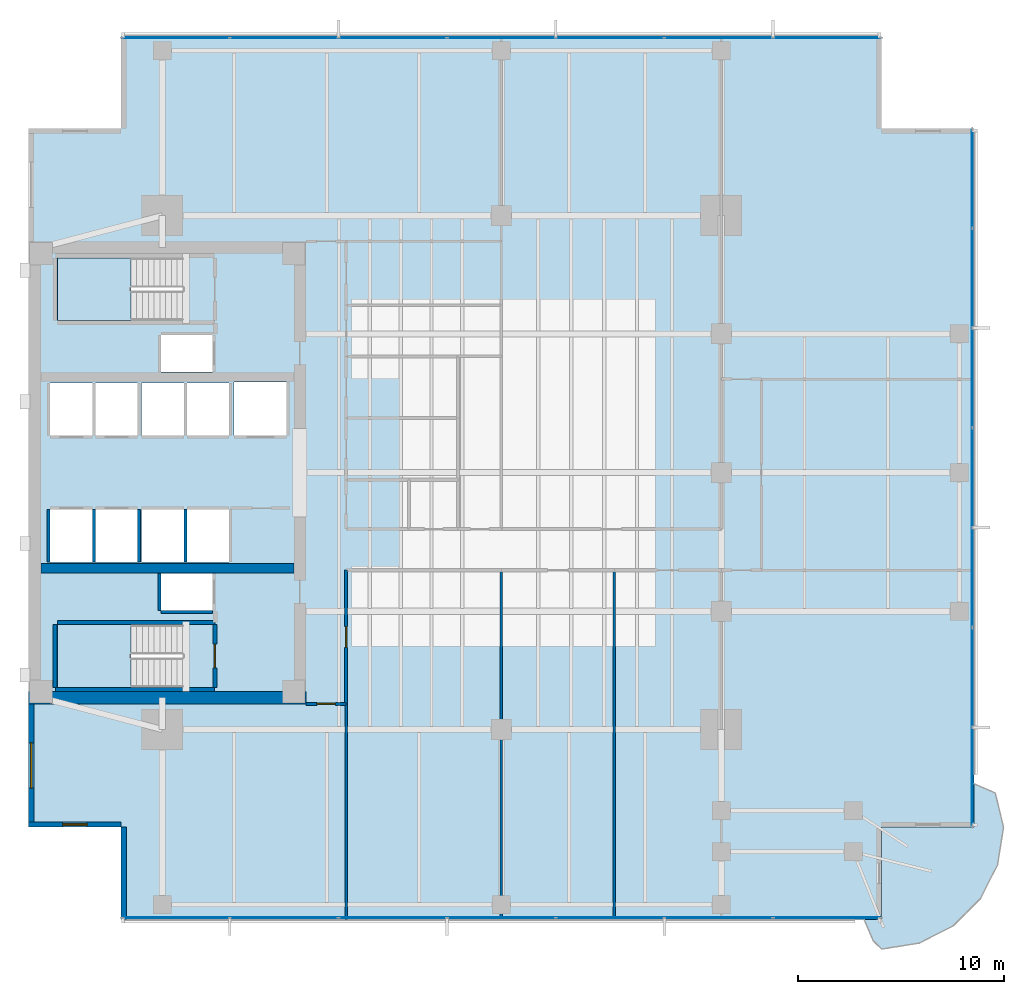
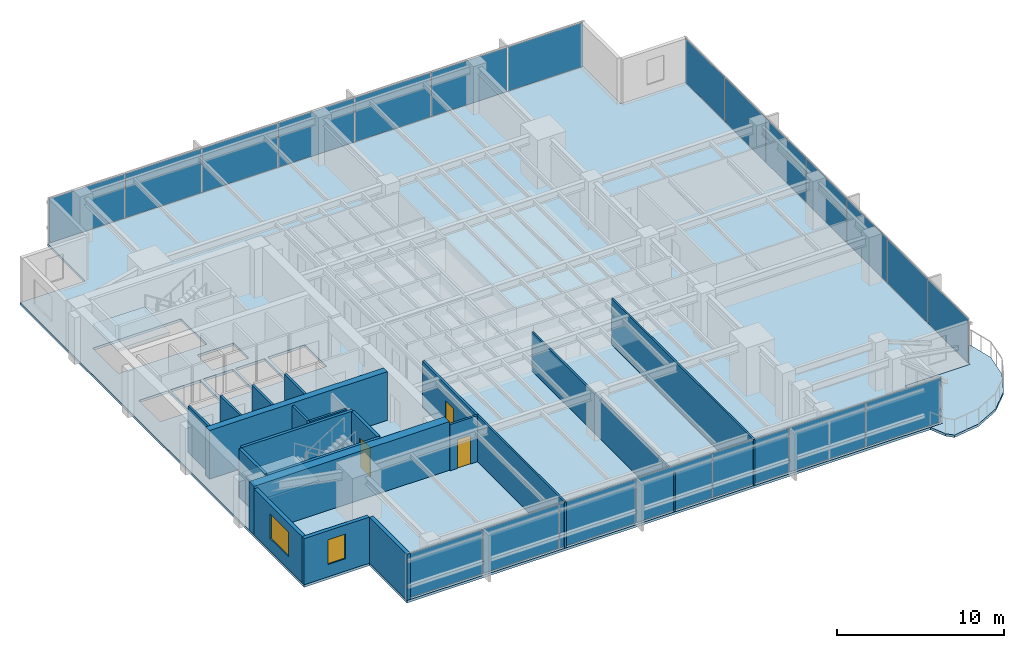
# One storey, part 7 of 15: 21 plates, 20 walls, 4 slabs, 3 doors, 2 windows, 5 openings, 5 elements without a shape of their own.
"""IFC4 building model written with IfcOpenShell, lengths in metres."""

import ifcopenshell
import ifcopenshell.guid

model = None  # the IFC model being written
_history = None  # IfcOwnerHistory: only IFC2X3 demands one
_inside = {}  # id of a spatial element -> (the spatial element, [elements in it])
_under = {}  # id of a project, library or spatial element -> (it, [spatial elements below it])
_declared = {}  # id of a project -> (the project, [libraries it declares])
_typed = {}  # id of a type object -> (the type object, [elements of that type])
_made_of = {}  # id of a material, layer set ... -> (it, [elements and type objects made of it])


def new_model(schema):
    """Start an empty IFC model of exactly this schema.

    Asked for "IFC4X3", IfcOpenShell would pick the latest addendum, in which some entities
    have other attributes; the version numbers below select the first issue.
    IFC2X3 requires an IfcOwnerHistory on every rooted entity: one is made here for all.
    """
    global model, _history
    if schema == "IFC4X3":
        model = ifcopenshell.file(schema_version=(4, 3, 0, 0))
    else:
        model = ifcopenshell.file(schema=schema)
    _inside.clear()
    _under.clear()
    _declared.clear()
    _typed.clear()
    _made_of.clear()
    _history = None
    if model.schema == "IFC2X3":
        org = make("IfcOrganization", Name="unknown")
        user = make(
            "IfcPersonAndOrganization",
            ThePerson=make("IfcPerson", FamilyName="unknown"),
            TheOrganization=org,
        )
        app = make(
            "IfcApplication",
            ApplicationDeveloper=org,
            Version="unknown",
            ApplicationFullName="unknown",
            ApplicationIdentifier="unknown",
        )
        _history = make(
            "IfcOwnerHistory",
            OwningUser=user,
            OwningApplication=app,
            ChangeAction="ADDED",
            CreationDate=0,
        )
    return model


def make(cls, **values):
    """One entity of the class cls with the attributes given. An attribute that is None is left unset."""
    return model.create_entity(
        cls, **{name: value for name, value in values.items() if value is not None}
    )


def rooted(cls, **values):
    """An entity with a GlobalId (a new one), such as an element, a storey or a relation."""
    return make(cls, GlobalId=ifcopenshell.guid.new(), OwnerHistory=_history, **values)


def si_unit(unit_type, name, prefix=None):
    """IfcSIUnit, for example si_unit("LENGTHUNIT", "METRE", prefix="MILLI")."""
    return make("IfcSIUnit", UnitType=unit_type, Prefix=prefix, Name=name)


def assignment(units):
    """IfcUnitAssignment: the units of a project."""
    return None if units is None else make("IfcUnitAssignment", Units=units)


def point(xyz):
    """IfcCartesianPoint."""
    return None if xyz is None else make("IfcCartesianPoint", Coordinates=xyz)


def direction(xyz):
    """IfcDirection."""
    return None if xyz is None else make("IfcDirection", DirectionRatios=xyz)


def frame(location, z_axis=None, x_axis=None):
    """IfcAxis2Placement3D, a coordinate frame: its origin and axes. An axis left out is left unset."""
    return make(
        "IfcAxis2Placement3D",
        Location=point(location),
        Axis=direction(z_axis),
        RefDirection=direction(x_axis),
    )


def frame_2d(location, x_axis=None):
    """IfcAxis2Placement2D, a coordinate frame in the plane: its origin and x axis."""
    return make(
        "IfcAxis2Placement2D", Location=point(location), RefDirection=direction(x_axis)
    )


def origin():
    """The frame at (0, 0, 0) with its axes left unset."""
    return frame((0.0, 0.0, 0.0))


def origin_2d():
    """The frame at (0, 0) in the plane with its x axis left unset."""
    return frame_2d((0.0, 0.0))


def place(relative_to, where):
    """IfcLocalPlacement: puts the frame where relative to a parent placement (None: the world)."""
    return make(
        "IfcLocalPlacement", PlacementRelTo=relative_to, RelativePlacement=where
    )


def context(
    kind, dimensions, precision=None, world=None, true_north=None, identifier=None
):
    """IfcGeometricRepresentationContext, for example the 3D "Model" context."""
    return make(
        "IfcGeometricRepresentationContext",
        ContextIdentifier=identifier,
        ContextType=kind,
        CoordinateSpaceDimension=dimensions,
        Precision=precision,
        WorldCoordinateSystem=world,
        TrueNorth=true_north,
    )


def subcontext(parent, identifier, kind, view, scale=None):
    """IfcGeometricRepresentationSubContext, for example "Body" below "Model"."""
    return make(
        "IfcGeometricRepresentationSubContext",
        ContextIdentifier=identifier,
        ContextType=kind,
        ParentContext=parent,
        TargetScale=scale,
        TargetView=view,
    )


def project(units=None, contexts=None):
    """IfcProject with its units and contexts."""
    return rooted(
        "IfcProject",
        Name="project",
        RepresentationContexts=contexts,
        UnitsInContext=assignment(units),
    )


def spatial(cls, under=None, at=None, **own):
    """A site, building, storey or space (cls), placed at a placement, below another one or the project."""
    s = rooted(cls, ObjectPlacement=at, **own)
    if under is not None:
        _under.setdefault(under.id(), (under, []))[1].append(s)
    return s


def polyline(points):
    """IfcPolyline through the points."""
    return make("IfcPolyline", Points=[point(p) for p in points])


def profile(cls, at=None, kind="AREA", **sizes):
    """A parametric profile (cls). Its sizes go by their IFC names, for example OverallWidth=200.0."""
    return make(cls, ProfileType=kind, Position=at, **sizes)


def rectangle(**sizes):
    """IfcRectangleProfileDef."""
    return profile("IfcRectangleProfileDef", **sizes)


def outline(outer, holes=None, kind="AREA"):
    """IfcArbitraryClosedProfileDef: a profile drawn as a closed curve; with holes, ...WithVoids."""
    if holes is None:
        return make("IfcArbitraryClosedProfileDef", ProfileType=kind, OuterCurve=outer)
    return make(
        "IfcArbitraryProfileDefWithVoids",
        ProfileType=kind,
        OuterCurve=outer,
        InnerCurves=holes,
    )


def extrude(swept, where, along, depth):
    """IfcExtrudedAreaSolid: the profile swept, set in the frame where, extruded along a direction by depth."""
    return make(
        "IfcExtrudedAreaSolid",
        SweptArea=swept,
        Position=where,
        ExtrudedDirection=direction(along),
        Depth=depth,
    )


def shape(context_of_items, identifier, shape_type, items):
    """IfcShapeRepresentation: the items that make up one representation, for example the "Body"."""
    return make(
        "IfcShapeRepresentation",
        ContextOfItems=context_of_items,
        RepresentationIdentifier=identifier,
        RepresentationType=shape_type,
        Items=items,
    )


def material(Name=None, Category=None):
    """IfcMaterial."""
    return make("IfcMaterial", Name=Name, Category=Category)


def layer(
    of_material, thickness, ventilated=None, Name=None, Category=None, Priority=None
):
    """IfcMaterialLayer: one layer of a wall or slab, of a material (None: an air gap)."""
    return make(
        "IfcMaterialLayer",
        Material=of_material,
        LayerThickness=thickness,
        IsVentilated=ventilated,
        Name=Name,
        Category=Category,
        Priority=Priority,
    )


def layer_set(layers, Name=None):
    """IfcMaterialLayerSet."""
    return make("IfcMaterialLayerSet", MaterialLayers=layers, LayerSetName=Name)


def made_of(thing, what):
    """Note that an element or type object is made of a material, layer set ...; save() writes the relation."""
    if what is not None:
        _made_of.setdefault(what.id(), (what, []))[1].append(thing)
    return thing


def type_object(cls, material=None, **own):
    """A type object (cls), such as IfcWallType, which elements share."""
    return made_of(rooted(cls, **own), material)


def element(
    cls,
    number,
    at=None,
    inside=None,
    cuts=None,
    type_object=None,
    material=None,
    context=None,
    identifier="Body",
    shape_type=None,
    held_by="IfcProductDefinitionShape",
    body=None,
    shapes=None,
    **own,
):
    """One element of the class cls, such as IfcWall. Its Tag is "e" and its number.

    at: its placement. inside: the storey or other place that contains it. cuts: it is an
    opening in that element (IfcRelVoidsElement). A single representation is given by context,
    identifier, shape_type and body (its items); several are given by shapes. held_by: the class
    of the entity that holds the representations. save() writes the other relations.
    """
    e = rooted(cls, Tag="e%d" % number, ObjectPlacement=at, **own)
    if body is not None:
        shapes = [shape(context, identifier, shape_type, body)]
    if shapes is not None:
        e.Representation = make(held_by, Representations=shapes)
    if inside is not None:
        _inside.setdefault(inside.id(), (inside, []))[1].append(e)
    if cuts is not None:
        rooted(
            "IfcRelVoidsElement", RelatingBuildingElement=cuts, RelatedOpeningElement=e
        )
    if type_object is not None:
        _typed.setdefault(type_object.id(), (type_object, []))[1].append(e)
    return made_of(e, material)


def fill(opening, filler):
    """IfcRelFillsElement: the door or window that sits in an opening."""
    return rooted(
        "IfcRelFillsElement",
        RelatingOpeningElement=opening,
        RelatedBuildingElement=filler,
    )


def aggregate(whole, parts):
    """IfcRelAggregates: a whole, such as a stair, and the parts it consists of."""
    return rooted("IfcRelAggregates", RelatingObject=whole, RelatedObjects=parts)


def save(model, path):
    """Write the relations noted so far, then the file.

    IfcRelAggregates (storeys below a building ...), IfcRelContainedInSpatialStructure (elements
    in a storey), IfcRelDefinesByType, IfcRelAssociatesMaterial and IfcRelDeclares: one each for
    every whole, place, type object, material and project.
    """
    for whole, parts in _under.values():
        aggregate(whole, parts)
    for where, things in _inside.values():
        rooted(
            "IfcRelContainedInSpatialStructure",
            RelatedElements=things,
            RelatingStructure=where,
        )
    for kind, things in _typed.values():
        rooted("IfcRelDefinesByType", RelatedObjects=things, RelatingType=kind)
    for what, things in _made_of.values():
        rooted("IfcRelAssociatesMaterial", RelatedObjects=things, RelatingMaterial=what)
    for by, libraries in _declared.values():
        rooted("IfcRelDeclares", RelatingContext=by, RelatedDefinitions=libraries)
    model.write(path)


model = new_model("IFC4")

# Units and contexts
model_context = context("Model", 3, precision=1e-05, world=origin(), true_north=direction((0.0, 1.0)))
body_context = subcontext(model_context, "Body", "Model", "MODEL_VIEW")
ifc_project = project(units=[si_unit("LENGTHUNIT", "METRE"), si_unit("AREAUNIT", "SQUARE_METRE"), si_unit("VOLUMEUNIT", "CUBIC_METRE"), si_unit("PLANEANGLEUNIT", "RADIAN"), si_unit("MASSUNIT", "GRAM", prefix="KILO")], contexts=[model_context])

# Site, building, storey
site_placement = place(None, origin())
site = spatial("IfcSite", under=ifc_project, at=site_placement, CompositionType="ELEMENT")
building_placement = place(site_placement, origin())
building = spatial("IfcBuilding", under=site, at=building_placement, Name="Kinhvarn Gate Tower", CompositionType="ELEMENT")
storey_placement = place(building_placement, frame((0.0, 0.0, 109.35009765625)))
storey = spatial("IfcBuildingStorey", under=building, at=storey_placement, Name="L28", CompositionType="ELEMENT", Elevation=109.35009765625)

# Curtain wall, plates
ifc_material_1 = material(Name="Anodised aluminium AW-6063", Category="aluminium")
ifc_layer_1 = layer(ifc_material_1, 0.179931640625)
ifc_layer_set_1 = layer_set([ifc_layer_1], Name="Anodised aluminium AW-6063")
curtain_wall_type = type_object("IfcCurtainWallType", Name="CW-SYS-3", PredefinedType="NOTDEFINED", material=ifc_layer_set_1)
curtain_wall_1_placement = place(storey_placement, origin())
curtain_wall_1 = element("IfcCurtainWall", 1, at=curtain_wall_1_placement, inside=storey, type_object=curtain_wall_type, Name="Curtain Wall CW3 (L28)", PredefinedType="NOTDEFINED")
ifc_material_2 = material(Name="Clear low-e double glazing", Category="glass")
ifc_layer_2 = layer(ifc_material_2, 0.031982421875)
ifc_layer_set_2 = layer_set([ifc_layer_2], Name="Clear low-e double glazing")
plate_type = type_object("IfcPlateType", Name="CW-PNL-VIS", PredefinedType="CURTAIN_PANEL", material=ifc_layer_set_2)
plate_1_placement = place(storey_placement, frame((11.6591796875, 3.590087890625, 0.06982421875), z_axis=(0.0, 0.0, 1.0), x_axis=(1.0, 0.0, 0.0)))
plate_1 = element("IfcPlate", 2, at=plate_1_placement, type_object=plate_type, Name="CW3 panel 1.1", PredefinedType="CURTAIN_PANEL", context=body_context, shape_type="SweptSolid", body=[
    extrude(rectangle(XDim=5.188232421875, YDim=0.031982421875, at=origin_2d()), origin(), (0.0, 0.0, 1.0), 3.22998046875),
])
plate_2_placement = place(storey_placement, frame((16.928466796875, 3.590087890625, 0.06982421875), z_axis=(0.0, 0.0, 1.0), x_axis=(1.0, 0.0, 0.0)))
plate_2 = element("IfcPlate", 3, at=plate_2_placement, type_object=plate_type, Name="CW3 panel 2.1", PredefinedType="CURTAIN_PANEL", context=body_context, shape_type="SweptSolid", body=[
    extrude(rectangle(XDim=5.220703125, YDim=0.031982421875, at=origin_2d()), origin(), (0.0, 0.0, 1.0), 3.22998046875),
])
plate_3_placement = place(storey_placement, frame((22.21435546875, 3.590087890625, 0.06982421875), z_axis=(0.0, 0.0, 1.0), x_axis=(1.0, 0.0, 0.0)))
plate_3 = element("IfcPlate", 4, at=plate_3_placement, type_object=plate_type, Name="CW3 panel 3.1", PredefinedType="CURTAIN_PANEL", context=body_context, shape_type="SweptSolid", body=[
    extrude(rectangle(XDim=5.220703125, YDim=0.031982421875, at=origin_2d()), origin(), (0.0, 0.0, 1.0), 3.22998046875),
])
plate_4_placement = place(storey_placement, frame((27.5, 3.590087890625, 0.06982421875), z_axis=(0.0, 0.0, 1.0), x_axis=(1.0, 0.0, 0.0)))
plate_4 = element("IfcPlate", 5, at=plate_4_placement, type_object=plate_type, Name="CW3 panel 4.1", PredefinedType="CURTAIN_PANEL", context=body_context, shape_type="SweptSolid", body=[
    extrude(rectangle(XDim=5.220703125, YDim=0.031982421875, at=origin_2d()), origin(), (0.0, 0.0, 1.0), 3.22998046875),
])
plate_5_placement = place(storey_placement, frame((32.78564453125, 3.590087890625, 0.06982421875), z_axis=(0.0, 0.0, 1.0), x_axis=(1.0, 0.0, 0.0)))
plate_5 = element("IfcPlate", 6, at=plate_5_placement, type_object=plate_type, Name="CW3 panel 5.1", PredefinedType="CURTAIN_PANEL", context=body_context, shape_type="SweptSolid", body=[
    extrude(rectangle(XDim=5.220703125, YDim=0.031982421875, at=origin_2d()), origin(), (0.0, 0.0, 1.0), 3.22998046875),
])
plate_6_placement = place(storey_placement, frame((38.071533203125, 3.590087890625, 0.06982421875), z_axis=(0.0, 0.0, 1.0), x_axis=(1.0, 0.0, 0.0)))
plate_6 = element("IfcPlate", 7, at=plate_6_placement, type_object=plate_type, Name="CW3 panel 6.1", PredefinedType="CURTAIN_PANEL", context=body_context, shape_type="SweptSolid", body=[
    extrude(rectangle(XDim=5.220703125, YDim=0.031982421875, at=origin_2d()), origin(), (0.0, 0.0, 1.0), 3.22998046875),
])
plate_7_placement = place(storey_placement, frame((43.3408203125, 3.590087890625, 0.06982421875), z_axis=(0.0, 0.0, 1.0), x_axis=(1.0, 0.0, 0.0)))
plate_7 = element("IfcPlate", 8, at=plate_7_placement, type_object=plate_type, Name="CW3 panel 7.1", PredefinedType="CURTAIN_PANEL", context=body_context, shape_type="SweptSolid", body=[
    extrude(rectangle(XDim=5.188232421875, YDim=0.031982421875, at=origin_2d()), origin(), (0.0, 0.0, 1.0), 3.22998046875),
])
aggregate(curtain_wall_1, [plate_1, plate_2, plate_3, plate_4, plate_5, plate_6, plate_7])

curtain_wall_2_placement = place(storey_placement, origin())
curtain_wall_2 = element("IfcCurtainWall", 9, at=curtain_wall_2_placement, inside=storey, type_object=curtain_wall_type, Name="Curtain Wall CW3 (L28)", PredefinedType="NOTDEFINED")
plate_8_placement = place(storey_placement, frame((43.3408203125, 46.409912109375, 0.06982421875), z_axis=(0.0, 0.0, 1.0), x_axis=(-1.0, 0.0, 0.0)))
plate_8 = element("IfcPlate", 10, at=plate_8_placement, type_object=plate_type, Name="CW3 panel 1.1", PredefinedType="CURTAIN_PANEL", context=body_context, shape_type="SweptSolid", body=[
    extrude(rectangle(XDim=5.188232421875, YDim=0.031982421875, at=origin_2d()), origin(), (0.0, 0.0, 1.0), 3.22998046875),
])
plate_9_placement = place(storey_placement, frame((38.071533203125, 46.409912109375, 0.06982421875), z_axis=(0.0, 0.0, 1.0), x_axis=(-1.0, 0.0, 0.0)))
plate_9 = element("IfcPlate", 11, at=plate_9_placement, type_object=plate_type, Name="CW3 panel 2.1", PredefinedType="CURTAIN_PANEL", context=body_context, shape_type="SweptSolid", body=[
    extrude(rectangle(XDim=5.220703125, YDim=0.031982421875, at=origin_2d()), origin(), (0.0, 0.0, 1.0), 3.22998046875),
])
plate_10_placement = place(storey_placement, frame((32.78564453125, 46.409912109375, 0.06982421875), z_axis=(0.0, 0.0, 1.0), x_axis=(-1.0, 0.0, 0.0)))
plate_10 = element("IfcPlate", 12, at=plate_10_placement, type_object=plate_type, Name="CW3 panel 3.1", PredefinedType="CURTAIN_PANEL", context=body_context, shape_type="SweptSolid", body=[
    extrude(rectangle(XDim=5.220703125, YDim=0.031982421875, at=origin_2d()), origin(), (0.0, 0.0, 1.0), 3.22998046875),
])
plate_11_placement = place(storey_placement, frame((27.5, 46.409912109375, 0.06982421875), z_axis=(0.0, 0.0, 1.0), x_axis=(-1.0, 0.0, 0.0)))
plate_11 = element("IfcPlate", 13, at=plate_11_placement, type_object=plate_type, Name="CW3 panel 4.1", PredefinedType="CURTAIN_PANEL", context=body_context, shape_type="SweptSolid", body=[
    extrude(rectangle(XDim=5.220703125, YDim=0.031982421875, at=origin_2d()), origin(), (0.0, 0.0, 1.0), 3.22998046875),
])
plate_12_placement = place(storey_placement, frame((22.21435546875, 46.409912109375, 0.06982421875), z_axis=(0.0, 0.0, 1.0), x_axis=(-1.0, 0.0, 0.0)))
plate_12 = element("IfcPlate", 14, at=plate_12_placement, type_object=plate_type, Name="CW3 panel 5.1", PredefinedType="CURTAIN_PANEL", context=body_context, shape_type="SweptSolid", body=[
    extrude(rectangle(XDim=5.220703125, YDim=0.031982421875, at=origin_2d()), origin(), (0.0, 0.0, 1.0), 3.22998046875),
])
plate_13_placement = place(storey_placement, frame((16.928466796875, 46.409912109375, 0.06982421875), z_axis=(0.0, 0.0, 1.0), x_axis=(-1.0, 0.0, 0.0)))
plate_13 = element("IfcPlate", 15, at=plate_13_placement, type_object=plate_type, Name="CW3 panel 6.1", PredefinedType="CURTAIN_PANEL", context=body_context, shape_type="SweptSolid", body=[
    extrude(rectangle(XDim=5.220703125, YDim=0.031982421875, at=origin_2d()), origin(), (0.0, 0.0, 1.0), 3.22998046875),
])
plate_14_placement = place(storey_placement, frame((11.6591796875, 46.409912109375, 0.06982421875), z_axis=(0.0, 0.0, 1.0), x_axis=(-1.0, 0.0, 0.0)))
plate_14 = element("IfcPlate", 16, at=plate_14_placement, type_object=plate_type, Name="CW3 panel 7.1", PredefinedType="CURTAIN_PANEL", context=body_context, shape_type="SweptSolid", body=[
    extrude(rectangle(XDim=5.188232421875, YDim=0.031982421875, at=origin_2d()), origin(), (0.0, 0.0, 1.0), 3.22998046875),
])
aggregate(curtain_wall_2, [plate_8, plate_9, plate_10, plate_11, plate_12, plate_13, plate_14])

curtain_wall_3_placement = place(storey_placement, origin())
curtain_wall_3 = element("IfcCurtainWall", 17, at=curtain_wall_3_placement, inside=storey, type_object=curtain_wall_type, Name="Curtain Wall CW3 (L28)", PredefinedType="NOTDEFINED")
plate_15_placement = place(storey_placement, frame((50.409912109375, 10.44482421875, 0.06982421875), z_axis=(0.0, 0.0, 1.0), x_axis=(0.0, 1.0, 0.0)))
plate_15 = element("IfcPlate", 18, at=plate_15_placement, type_object=plate_type, Name="CW3 panel 1.1", PredefinedType="CURTAIN_PANEL", context=body_context, shape_type="SweptSolid", body=[
    extrude(rectangle(XDim=4.759521484375, YDim=0.031982421875, at=origin_2d()), origin(), (0.0, 0.0, 1.0), 3.22998046875),
])
plate_16_placement = place(storey_placement, frame((50.409912109375, 15.28564453125, 0.06982421875), z_axis=(0.0, 0.0, 1.0), x_axis=(0.0, 1.0, 0.0)))
plate_16 = element("IfcPlate", 19, at=plate_16_placement, type_object=plate_type, Name="CW3 panel 2.1", PredefinedType="CURTAIN_PANEL", context=body_context, shape_type="SweptSolid", body=[
    extrude(rectangle(XDim=4.792236328125, YDim=0.031982421875, at=origin_2d()), origin(), (0.0, 0.0, 1.0), 3.22998046875),
])
plate_17_placement = place(storey_placement, frame((50.409912109375, 20.142822265625, 0.06982421875), z_axis=(0.0, 0.0, 1.0), x_axis=(0.0, 1.0, 0.0)))
plate_17 = element("IfcPlate", 20, at=plate_17_placement, type_object=plate_type, Name="CW3 panel 3.1", PredefinedType="CURTAIN_PANEL", context=body_context, shape_type="SweptSolid", body=[
    extrude(rectangle(XDim=4.792236328125, YDim=0.031982421875, at=origin_2d()), origin(), (0.0, 0.0, 1.0), 3.22998046875),
])
plate_18_placement = place(storey_placement, frame((50.409912109375, 25.0, 0.06982421875), z_axis=(0.0, 0.0, 1.0), x_axis=(0.0, 1.0, 0.0)))
plate_18 = element("IfcPlate", 21, at=plate_18_placement, type_object=plate_type, Name="CW3 panel 4.1", PredefinedType="CURTAIN_PANEL", context=body_context, shape_type="SweptSolid", body=[
    extrude(rectangle(XDim=4.792236328125, YDim=0.031982421875, at=origin_2d()), origin(), (0.0, 0.0, 1.0), 3.22998046875),
])
plate_19_placement = place(storey_placement, frame((50.409912109375, 29.857177734375, 0.06982421875), z_axis=(0.0, 0.0, 1.0), x_axis=(0.0, 1.0, 0.0)))
plate_19 = element("IfcPlate", 22, at=plate_19_placement, type_object=plate_type, Name="CW3 panel 5.1", PredefinedType="CURTAIN_PANEL", context=body_context, shape_type="SweptSolid", body=[
    extrude(rectangle(XDim=4.792236328125, YDim=0.031982421875, at=origin_2d()), origin(), (0.0, 0.0, 1.0), 3.22998046875),
])
plate_20_placement = place(storey_placement, frame((50.409912109375, 34.71435546875, 0.06982421875), z_axis=(0.0, 0.0, 1.0), x_axis=(0.0, 1.0, 0.0)))
plate_20 = element("IfcPlate", 23, at=plate_20_placement, type_object=plate_type, Name="CW3 panel 6.1", PredefinedType="CURTAIN_PANEL", context=body_context, shape_type="SweptSolid", body=[
    extrude(rectangle(XDim=4.792236328125, YDim=0.031982421875, at=origin_2d()), origin(), (0.0, 0.0, 1.0), 3.22998046875),
])
plate_21_placement = place(storey_placement, frame((50.409912109375, 39.55517578125, 0.06982421875), z_axis=(0.0, 0.0, 1.0), x_axis=(0.0, 1.0, 0.0)))
plate_21 = element("IfcPlate", 24, at=plate_21_placement, type_object=plate_type, Name="CW3 panel 7.1", PredefinedType="CURTAIN_PANEL", context=body_context, shape_type="SweptSolid", body=[
    extrude(rectangle(XDim=4.759521484375, YDim=0.031982421875, at=origin_2d()), origin(), (0.0, 0.0, 1.0), 3.22998046875),
])
aggregate(curtain_wall_3, [plate_15, plate_16, plate_17, plate_18, plate_19, plate_20, plate_21])

# Slabs
ifc_material_3 = material(Name="Precast white architectural concrete C40/50", Category="concrete")
ifc_layer_3 = layer(ifc_material_3, 0.179931640625)
ifc_layer_set_3 = layer_set([ifc_layer_3], Name="Precast white architectural concrete C40/50")
slab_type_1 = type_object("IfcSlabType", Name="SLB-BAL-180", PredefinedType="FLOOR", material=ifc_layer_set_3)
slab_1_placement = place(storey_placement, frame((0.0, 0.0, -0.18017578125)))
element("IfcSlab", 25, at=slab_1_placement, inside=storey, type_object=slab_type_1, Name="S-Carve Curved Terrace Balcony Slab L28 (SE)", PredefinedType="FLOOR", context=body_context, shape_type="SweptSolid", body=[
    extrude(outline(polyline([(45.14892578125, 3.5), (45.59912109375, 2.4697265625), (46.0, 2.069091796875), (47.832763671875, 2.359375), (49.486083984375, 3.20166015625), (50.79833984375, 4.513916015625), (51.640625, 6.167236328125), (51.930908203125, 8.0), (51.5302734375, 9.658935546875), (50.5, 10.10888671875), (50.5, 8.0), (46.0, 8.0), (46.0, 3.5), (45.14892578125, 3.5)])), origin(), (0.0, 0.0, 1.0), 0.18017578125),
])
ifc_material_4 = material(Name="Concrete C40/50", Category="concrete")
ifc_layer_4 = layer(ifc_material_4, 0.179931640625)
ifc_layer_set_4 = layer_set([ifc_layer_4], Name="Concrete C40/50")
slab_type_2 = type_object("IfcSlabType", Name="SLB-FLR-180", PredefinedType="FLOOR", material=ifc_layer_set_4)
slab_2_placement = place(storey_placement, frame((0.0, 0.0, -0.18017578125)))
element("IfcSlab", 26, at=slab_2_placement, inside=storey, type_object=slab_type_2, Name="Suspended Floor Slab L28", PredefinedType="FLOOR", context=body_context, shape_type="SweptSolid", body=[
    extrude(outline(polyline([(9.0, 3.5), (46.0, 3.5), (46.0, 8.0), (50.5, 8.0), (50.5, 42.0), (46.0, 42.0), (46.0, 46.5), (9.0, 46.5), (9.0, 42.0), (4.5, 42.0), (4.5, 8.0), (9.0, 8.0), (9.0, 3.5)]), holes=[polyline([(5.89990234375, 14.800048828125), (12.0, 14.800048828125), (12.0, 17.85009765625), (5.89990234375, 17.85009765625), (5.89990234375, 14.800048828125)]), polyline([(5.89990234375, 32.64990234375), (12.0, 32.64990234375), (12.0, 35.699951171875), (5.89990234375, 35.699951171875), (5.89990234375, 32.64990234375)]), polyline([(5.550048828125, 20.89990234375), (7.60009765625, 20.89990234375), (7.60009765625, 23.449951171875), (5.550048828125, 23.449951171875), (5.550048828125, 20.89990234375)]), polyline([(7.75, 20.89990234375), (9.800048828125, 20.89990234375), (9.800048828125, 23.449951171875), (7.75, 23.449951171875), (7.75, 20.89990234375)]), polyline([(5.550048828125, 27.050048828125), (7.60009765625, 27.050048828125), (7.60009765625, 29.60009765625), (5.550048828125, 29.60009765625), (5.550048828125, 27.050048828125)]), polyline([(7.75, 27.050048828125), (9.800048828125, 27.050048828125), (9.800048828125, 29.60009765625), (7.75, 29.60009765625), (7.75, 27.050048828125)]), polyline([(10.0, 20.89990234375), (12.050048828125, 20.89990234375), (12.050048828125, 23.449951171875), (10.0, 23.449951171875), (10.0, 20.89990234375)]), polyline([(12.199951171875, 20.89990234375), (14.25, 20.89990234375), (14.25, 23.449951171875), (12.199951171875, 23.449951171875), (12.199951171875, 20.89990234375)]), polyline([(10.0, 27.050048828125), (12.050048828125, 27.050048828125), (12.050048828125, 29.60009765625), (10.0, 29.60009765625), (10.0, 27.050048828125)]), polyline([(12.199951171875, 27.050048828125), (14.25, 27.050048828125), (14.25, 29.60009765625), (12.199951171875, 29.60009765625), (12.199951171875, 27.050048828125)]), polyline([(14.5, 27.050048828125), (17.050048828125, 27.050048828125), (17.050048828125, 29.64990234375), (14.5, 29.64990234375), (14.5, 27.050048828125)]), polyline([(10.949951171875, 18.550048828125), (13.449951171875, 18.550048828125), (13.449951171875, 20.35009765625), (10.949951171875, 20.35009765625), (10.949951171875, 18.550048828125)]), polyline([(10.949951171875, 30.14990234375), (13.449951171875, 30.14990234375), (13.449951171875, 31.949951171875), (10.949951171875, 31.949951171875), (10.949951171875, 30.14990234375)])]), origin(), (0.0, 0.0, 1.0), 0.18017578125),
])

# Stair, slab
stair_type = type_object("IfcStairType", Name="STR-DLG-178", PredefinedType="HALF_TURN_STAIR", material=ifc_material_4)
stair_1_placement = place(storey_placement, origin())
stair_1 = element("IfcStair", 27, at=stair_1_placement, inside=storey, type_object=stair_type, Name="L28 Core Smokeproof Exit Stair ST1", PredefinedType="HALF_TURN_STAIR")
ifc_layer_5 = layer(ifc_material_4, 0.199951171875)
ifc_layer_set_5 = layer_set([ifc_layer_5], Name="Concrete C40/50")
slab_type_3 = type_object("IfcSlabType", Name="SLB-ST-LND", PredefinedType="LANDING", material=ifc_layer_set_5)
slab_3_placement = place(storey_placement, frame((0.0, 0.0, 1.574951171875)))
slab_3 = element("IfcSlab", 28, at=slab_3_placement, type_object=slab_type_3, Name="ST1 landing 1", PredefinedType="LANDING", context=body_context, shape_type="SweptSolid", body=[
    extrude(outline(polyline([(9.47998046875, 17.85009765625), (5.89990234375, 17.85009765625), (5.89990234375, 14.800048828125), (9.47998046875, 14.800048828125), (9.47998046875, 17.85009765625)])), origin(), (0.0, 0.0, 1.0), 0.199951171875),
])
aggregate(stair_1, [slab_3])

stair_2_placement = place(storey_placement, origin())
stair_2 = element("IfcStair", 29, at=stair_2_placement, inside=storey, type_object=stair_type, Name="L28 Core Smokeproof Exit Stair ST2", PredefinedType="HALF_TURN_STAIR")
slab_4_placement = place(storey_placement, frame((0.0, 0.0, 1.574951171875)))
slab_4 = element("IfcSlab", 30, at=slab_4_placement, type_object=slab_type_3, Name="ST2 landing 1", PredefinedType="LANDING", context=body_context, shape_type="SweptSolid", body=[
    extrude(outline(polyline([(9.47998046875, 35.699951171875), (5.89990234375, 35.699951171875), (5.89990234375, 32.64990234375), (9.47998046875, 32.64990234375), (9.47998046875, 35.699951171875)])), origin(), (0.0, 0.0, 1.0), 0.199951171875),
])
aggregate(stair_2, [slab_4])

# Walls
ifc_material_5 = material(Name="Concrete C50/60", Category="concrete")
ifc_layer_6 = layer(ifc_material_5, 0.449951171875)
ifc_layer_set_6 = layer_set([ifc_layer_6], Name="Concrete C50/60")
wall_type_1 = type_object("IfcWallType", Name="WL-CORE-450", PredefinedType="SHEAR", material=ifc_layer_set_6)
wall_1_placement = place(storey_placement, frame((5.10009765625, 20.60009765625, 0.0), z_axis=(0.0, 0.0, 1.0), x_axis=(1.0, 0.0, 0.0)))
element("IfcWall", 31, at=wall_1_placement, inside=storey, type_object=wall_type_1, Name="Core South Spine Shear Wall L28 450 mm", PredefinedType="SHEAR", context=body_context, shape_type="SweptSolid", body=[
    extrude(rectangle(XDim=12.2998046875, YDim=0.449951171875, at=frame_2d((6.14990234375, 0.0))), origin(), (0.0, 0.0, 1.0), 3.5498046875),
])
ifc_material_6 = material(Name="Concrete C60/75", Category="concrete")
ifc_layer_7 = layer(ifc_material_6, 0.60009765625)
ifc_layer_set_7 = layer_set([ifc_layer_7], Name="Concrete C60/75")
wall_type_2 = type_object("IfcWallType", Name="WL-CORE-600", PredefinedType="SHEAR", material=ifc_layer_set_7)
wall_2_placement = place(storey_placement, frame((4.5, 14.300048828125, 0.0), z_axis=(0.0, 0.0, 1.0), x_axis=(1.0, 0.0, 0.0)))
element("IfcWall", 32, at=wall_2_placement, inside=storey, type_object=wall_type_2, Name="Core South Shear Wall L28 600 mm", PredefinedType="SHEAR", context=body_context, shape_type="SweptSolid", body=[
    extrude(rectangle(XDim=13.5, YDim=0.60009765625, at=frame_2d((6.75, 0.0))), origin(), (0.0, 0.0, 1.0), 3.5498046875),
])

# Wall, opening, window
ifc_material_7 = material(Name="Fired architectural terracotta", Category="masonry")
ifc_layer_8 = layer(ifc_material_7, 0.25)
ifc_layer_set_8 = layer_set([ifc_layer_8], Name="Fired architectural terracotta")
wall_type_3 = type_object("IfcWallType", Name="WL-EXT-250", PredefinedType="SOLIDWALL", material=ifc_layer_set_8)
wall_3_placement = place(storey_placement, frame((4.625, 14.0, 0.0), z_axis=(0.0, 0.0, 1.0), x_axis=(0.0, -1.0, 0.0)))
wall_3 = element("IfcWall", 33, at=wall_3_placement, inside=storey, type_object=wall_type_3, Name="Exterior Solidwall Wall EW-250 (L28 West-South)", PredefinedType="SOLIDWALL", context=body_context, shape_type="SweptSolid", body=[
    extrude(rectangle(XDim=6.0, YDim=0.25, at=frame_2d((3.0, 0.0))), origin(), (0.0, 0.0, 1.0), 3.369873046875),
])
opening_1_placement = place(wall_3_placement, frame((1.89990234375, 0.0, 0.89990234375)))
opening_1 = element("IfcOpeningElement", 34, at=opening_1_placement, cuts=wall_3, Name="Opening WN-01", PredefinedType="OPENING", context=body_context, shape_type="SweptSolid", body=[
    extrude(rectangle(XDim=2.199951171875, YDim=1.800048828125, at=frame_2d((1.10009765625, 0.89990234375))), frame((0.0, 0.135009765625, 0.0), z_axis=(0.0, -1.0, 0.0), x_axis=(1.0, 0.0, 0.0)), (0.0, 0.0, 1.0), 0.27001953125),
])
window_type_1 = type_object("IfcWindowType", Name="WIN-RIB-2200", PartitioningType="SINGLE_PANEL", PredefinedType="WINDOW", material=ifc_material_2)
window_1_placement = place(opening_1_placement, origin())
window_1 = element("IfcWindow", 35, at=window_1_placement, inside=storey, type_object=window_type_1, Name="West Flank Double-Glazed Ribbon Window 2200x1800 mm (L28)", OverallHeight=1.800048828125, OverallWidth=2.199951171875, PartitioningType="SINGLE_PANEL", PredefinedType="WINDOW", context=body_context, shape_type="SweptSolid", body=[
    extrude(rectangle(XDim=2.199951171875, YDim=1.800048828125, at=frame_2d((1.10009765625, 0.89990234375))), frame((0.0, 0.030029296875, 0.0), z_axis=(0.0, -1.0, 0.0), x_axis=(1.0, 0.0, 0.0)), (0.0, 0.0, 1.0), 0.06005859375),
])
fill(opening_1, window_1)

wall_4_placement = place(storey_placement, frame((4.5, 8.125, 0.0), z_axis=(0.0, 0.0, 1.0), x_axis=(1.0, 0.0, 0.0)))
wall_4 = element("IfcWall", 36, at=wall_4_placement, inside=storey, type_object=wall_type_3, Name="Exterior Solidwall Wall EW-250 (L28 SW-Notch-1)", PredefinedType="SOLIDWALL", context=body_context, shape_type="SweptSolid", body=[
    extrude(rectangle(XDim=4.5, YDim=0.25, at=frame_2d((2.25, 0.0))), origin(), (0.0, 0.0, 1.0), 3.369873046875),
])
opening_2_placement = place(wall_4_placement, frame((1.64990234375, 0.0, 0.89990234375)))
opening_2 = element("IfcOpeningElement", 37, at=opening_2_placement, cuts=wall_4, Name="Opening WN-02", PredefinedType="OPENING", context=body_context, shape_type="SweptSolid", body=[
    extrude(rectangle(XDim=1.199951171875, YDim=1.800048828125, at=frame_2d((0.60009765625, 0.89990234375))), frame((0.0, 0.135009765625, 0.0), z_axis=(0.0, -1.0, 0.0), x_axis=(1.0, 0.0, 0.0)), (0.0, 0.0, 1.0), 0.27001953125),
])
window_type_2 = type_object("IfcWindowType", Name="WIN-NTC-1200", PartitioningType="SINGLE_PANEL", PredefinedType="WINDOW", material=ifc_material_2)
window_2_placement = place(opening_2_placement, origin())
window_2 = element("IfcWindow", 38, at=window_2_placement, inside=storey, type_object=window_type_2, Name="Recessed Corner Notch Punched Window 1200x1800 mm (L28)", OverallHeight=1.800048828125, OverallWidth=1.199951171875, PartitioningType="SINGLE_PANEL", PredefinedType="WINDOW", context=body_context, shape_type="SweptSolid", body=[
    extrude(rectangle(XDim=1.199951171875, YDim=1.800048828125, at=frame_2d((0.60009765625, 0.89990234375))), frame((0.0, 0.030029296875, 0.0), z_axis=(0.0, -1.0, 0.0), x_axis=(1.0, 0.0, 0.0)), (0.0, 0.0, 1.0), 0.06005859375),
])
fill(opening_2, window_2)

# Walls
wall_5_placement = place(storey_placement, frame((9.125, 8.0, 0.0), z_axis=(0.0, 0.0, 1.0), x_axis=(0.0, -1.0, 0.0)))
element("IfcWall", 39, at=wall_5_placement, inside=storey, type_object=wall_type_3, Name="Exterior Solidwall Wall EW-250 (L28 SW-Notch-2)", PredefinedType="SOLIDWALL", context=body_context, shape_type="SweptSolid", body=[
    extrude(rectangle(XDim=4.5, YDim=0.25, at=frame_2d((2.25, 0.0))), origin(), (0.0, 0.0, 1.0), 3.369873046875),
])
ifc_material_8 = material(Name="Gypsum acoustic partition board")
ifc_layer_9 = layer(ifc_material_8, 0.1201171875)
ifc_layer_set_9 = layer_set([ifc_layer_9], Name="Gypsum acoustic partition board")
wall_type_4 = type_object("IfcWallType", Name="WL-PRT-120", PredefinedType="PARTITIONING", material=ifc_layer_set_9)
wall_6_placement = place(storey_placement, frame((19.949951171875, 3.510009765625, 0.0), z_axis=(0.0, 0.0, 1.0), x_axis=(0.0, 1.0, 0.0)))
element("IfcWall", 40, at=wall_6_placement, inside=storey, type_object=wall_type_4, Name="Interior Partition PW-120 (L28)", PredefinedType="PARTITIONING", context=body_context, shape_type="SweptSolid", body=[
    extrude(rectangle(XDim=10.489990234375, YDim=0.1201171875, at=frame_2d((5.2451171875, 0.0))), origin(), (0.0, 0.0, 1.0), 3.369873046875),
])
wall_7_placement = place(storey_placement, frame((27.5, 3.510009765625, 0.0), z_axis=(0.0, 0.0, 1.0), x_axis=(0.0, 1.0, 0.0)))
element("IfcWall", 41, at=wall_7_placement, inside=storey, type_object=wall_type_4, Name="Interior Partition PW-120 (L28)", PredefinedType="PARTITIONING", context=body_context, shape_type="SweptSolid", body=[
    extrude(rectangle(XDim=16.989990234375, YDim=0.1201171875, at=frame_2d((8.4951171875, 0.0))), origin(), (0.0, 0.0, 1.0), 2.869873046875),
])
wall_8_placement = place(storey_placement, frame((33.0, 3.510009765625, 0.0), z_axis=(0.0, 0.0, 1.0), x_axis=(0.0, 1.0, 0.0)))
element("IfcWall", 42, at=wall_8_placement, inside=storey, type_object=wall_type_4, Name="Interior Partition PW-120 (L28)", PredefinedType="PARTITIONING", context=body_context, shape_type="SweptSolid", body=[
    extrude(rectangle(XDim=16.989990234375, YDim=0.1201171875, at=frame_2d((8.4951171875, 0.0))), origin(), (0.0, 0.0, 1.0), 3.369873046875),
])

# Wall, opening, door
ifc_layer_10 = layer(ifc_material_8, 0.14990234375)
ifc_layer_set_10 = layer_set([ifc_layer_10], Name="Gypsum acoustic partition board")
wall_type_5 = type_object("IfcWallType", Name="WL-PRT-150F", PredefinedType="PARTITIONING", material=ifc_layer_set_10)
wall_9_placement = place(storey_placement, frame((18.0, 14.0, 0.0), z_axis=(0.0, 0.0, 1.0), x_axis=(1.0, 0.0, 0.0)))
wall_9 = element("IfcWall", 43, at=wall_9_placement, inside=storey, type_object=wall_type_5, Name="Interior Partition PW-150F (L28)", PredefinedType="PARTITIONING", context=body_context, shape_type="SweptSolid", body=[
    extrude(rectangle(XDim=1.949951171875, YDim=0.14990234375, at=frame_2d((0.97509765625, 0.0))), origin(), (0.0, 0.0, 1.0), 3.369873046875),
])
opening_3_placement = place(wall_9_placement, frame((0.52490234375, 0.0, 0.0)))
opening_3 = element("IfcOpeningElement", 44, at=opening_3_placement, cuts=wall_9, Name="Opening ID-03", PredefinedType="OPENING", context=body_context, shape_type="SweptSolid", body=[
    extrude(rectangle(XDim=0.89990234375, YDim=2.10009765625, at=frame_2d((0.449951171875, 1.050048828125))), frame((0.0, 0.0849609375, 0.0), z_axis=(0.0, -1.0, 0.0), x_axis=(1.0, 0.0, 0.0)), (0.0, 0.0, 1.0), 0.169921875),
])
door_type_1 = type_object("IfcDoorType", Name="DR-INT-900", OperationType="NOTDEFINED", PredefinedType="DOOR", material=ifc_material_1)
door_1_placement = place(opening_3_placement, origin())
door_1 = element("IfcDoor", 45, at=door_1_placement, inside=storey, type_object=door_type_1, Name="Cellular Office & Restroom Door 900x2100 mm (L28)", OperationType="SINGLE_SWING_LEFT", OverallHeight=2.10009765625, OverallWidth=0.89990234375, PredefinedType="DOOR", context=body_context, shape_type="SweptSolid", body=[
    extrude(rectangle(XDim=0.89990234375, YDim=2.10009765625, at=frame_2d((0.449951171875, 1.050048828125))), frame((0.0, 0.02490234375, 0.0), z_axis=(0.0, -1.0, 0.0), x_axis=(1.0, 0.0, 0.0)), (0.0, 0.0, 1.0), 0.050048828125),
])
fill(opening_3, door_1)

wall_10_placement = place(storey_placement, frame((19.949951171875, 14.0, 0.0), z_axis=(0.0, 0.0, 1.0), x_axis=(0.0, 1.0, 0.0)))
wall_10 = element("IfcWall", 46, at=wall_10_placement, inside=storey, type_object=wall_type_5, Name="Interior Partition PW-150F (L28)", PredefinedType="PARTITIONING", context=body_context, shape_type="SweptSolid", body=[
    extrude(rectangle(XDim=6.5, YDim=0.14990234375, at=frame_2d((3.25, 0.0))), origin(), (0.0, 0.0, 1.0), 3.369873046875),
])
opening_4_placement = place(wall_10_placement, frame((2.75, 0.0, 0.0)))
opening_4 = element("IfcOpeningElement", 47, at=opening_4_placement, cuts=wall_10, Name="Opening ID-02", PredefinedType="OPENING", context=body_context, shape_type="SweptSolid", body=[
    extrude(rectangle(XDim=1.0, YDim=2.14990234375, at=frame_2d((0.5, 1.074951171875))), frame((0.0, 0.0849609375, 0.0), z_axis=(0.0, -1.0, 0.0), x_axis=(1.0, 0.0, 0.0)), (0.0, 0.0, 1.0), 0.169921875),
])
door_type_2 = type_object("IfcDoorType", Name="DR-INT-1000", OperationType="NOTDEFINED", PredefinedType="DOOR", material=ifc_material_1)
door_2_placement = place(opening_4_placement, origin())
door_2 = element("IfcDoor", 48, at=door_2_placement, inside=storey, type_object=door_type_2, Name="Standard Office & Meeting Room Door 1000x2150 mm (L28)", OperationType="SINGLE_SWING_RIGHT", OverallHeight=2.14990234375, OverallWidth=1.0, PredefinedType="DOOR", context=body_context, shape_type="SweptSolid", body=[
    extrude(rectangle(XDim=1.0, YDim=2.14990234375, at=frame_2d((0.5, 1.074951171875))), frame((0.0, 0.02490234375, 0.0), z_axis=(0.0, -1.0, 0.0), x_axis=(1.0, 0.0, 0.0)), (0.0, 0.0, 1.0), 0.050048828125),
])
fill(opening_4, door_2)

# Walls
ifc_layer_11 = layer(ifc_material_8, 0.14990234375)
ifc_layer_set_11 = layer_set([ifc_layer_11], Name="Gypsum acoustic partition board")
wall_type_6 = type_object("IfcWallType", Name="WL-SHF-150", PredefinedType="PARTITIONING", material=ifc_layer_set_11)
for number, where, z_axis, x_axis, name in (
    (49, (5.47509765625, 20.89990234375, 0.0), (0.0, 0.0, 1.0), (0.0, 1.0, 0.0), "Elevator PM-05 Hoistway Wall W (L28)"),
    (50, (7.675048828125, 20.89990234375, 0.0), (0.0, 0.0, 1.0), (0.0, 1.0, 0.0), "Elevator PM-05 Hoistway Wall E (L28)"),
    (51, (9.875, 20.89990234375, 0.0), (0.0, 0.0, 1.0), (0.0, 1.0, 0.0), "Elevator PM-06 Hoistway Wall E (L28)"),
    (52, (12.125, 20.89990234375, 0.0), (0.0, 0.0, 1.0), (0.0, 1.0, 0.0), "Elevator PH-09 Hoistway Wall E (L28)"),
):
    element("IfcWall", number, at=place(storey_placement, frame(where, z_axis=z_axis, x_axis=x_axis)), inside=storey, type_object=wall_type_6, Name=name, PredefinedType="PARTITIONING", context=body_context, shape_type="SweptSolid", body=[
        extrude(rectangle(XDim=2.550048828125, YDim=0.14990234375, at=frame_2d((1.27490234375, 0.0))), origin(), (0.0, 0.0, 1.0), 3.369873046875),
    ])
wall_11_placement = place(storey_placement, frame((10.949951171875, 18.47509765625, 0.0), z_axis=(0.0, 0.0, 1.0), x_axis=(1.0, 0.0, 0.0)))
element("IfcWall", 53, at=wall_11_placement, inside=storey, type_object=wall_type_6, Name="Elevator FF1 Hoistway Wall S (L28)", PredefinedType="PARTITIONING", context=body_context, shape_type="SweptSolid", body=[
    extrude(rectangle(XDim=2.5, YDim=0.14990234375, at=frame_2d((1.25, 0.0))), origin(), (0.0, 0.0, 1.0), 3.369873046875),
])
wall_12_placement = place(storey_placement, frame((10.875, 18.550048828125, 0.0), z_axis=(0.0, 0.0, 1.0), x_axis=(0.0, 1.0, 0.0)))
element("IfcWall", 54, at=wall_12_placement, inside=storey, type_object=wall_type_6, Name="Elevator FF1 Hoistway Wall W (L28)", PredefinedType="PARTITIONING", context=body_context, shape_type="SweptSolid", body=[
    extrude(rectangle(XDim=1.800048828125, YDim=0.14990234375, at=frame_2d((0.89990234375, 0.0))), origin(), (0.0, 0.0, 1.0), 3.369873046875),
])
ifc_layer_12 = layer(ifc_material_4, 0.199951171875)
ifc_layer_set_12 = layer_set([ifc_layer_12], Name="Concrete C40/50")
wall_type_7 = type_object("IfcWallType", Name="WL-SHF-200", PredefinedType="SOLIDWALL", material=ifc_layer_set_12)
wall_13_placement = place(storey_placement, frame((5.800048828125, 14.699951171875, 0.0), z_axis=(0.0, 0.0, 1.0), x_axis=(1.0, 0.0, 0.0)))
element("IfcWall", 55, at=wall_13_placement, inside=storey, type_object=wall_type_7, Name="Stair ST1 South Shaft Wall (L28)", PredefinedType="SOLIDWALL", context=body_context, shape_type="SweptSolid", body=[
    extrude(rectangle(XDim=7.75, YDim=0.199951171875, at=frame_2d((3.875, 0.0))), origin(), (0.0, 0.0, 1.0), 3.5498046875),
])
wall_14_placement = place(storey_placement, frame((5.7900390625, 14.800048828125, 0.0), z_axis=(0.0, 0.0, 1.0), x_axis=(0.0, 1.0, 0.0)))
element("IfcWall", 56, at=wall_14_placement, inside=storey, type_object=wall_type_7, Name="Stair ST1 West Shaft Wall (L28)", PredefinedType="SOLIDWALL", context=body_context, shape_type="SweptSolid", body=[
    extrude(rectangle(XDim=3.050048828125, YDim=0.199951171875, at=frame_2d((1.52490234375, 0.0))), origin(), (0.0, 0.0, 1.0), 3.5498046875),
])
wall_15_placement = place(storey_placement, frame((5.89990234375, 17.9599609375, 0.0), z_axis=(0.0, 0.0, 1.0), x_axis=(1.0, 0.0, 0.0)))
element("IfcWall", 57, at=wall_15_placement, inside=storey, type_object=wall_type_7, Name="Stair ST1 North Shaft Wall (L28)", PredefinedType="SOLIDWALL", context=body_context, shape_type="SweptSolid", body=[
    extrude(rectangle(XDim=7.66015625, YDim=0.199951171875, at=frame_2d((3.830078125, 0.0))), origin(), (0.0, 0.0, 1.0), 3.5498046875),
])

# Wall, opening, door
wall_16_placement = place(storey_placement, frame((13.56005859375, 14.800048828125, 0.0), z_axis=(0.0, 0.0, 1.0), x_axis=(0.0, 1.0, 0.0)))
wall_16 = element("IfcWall", 58, at=wall_16_placement, inside=storey, type_object=wall_type_7, Name="Stair ST1 East Entry Wall (L28)", PredefinedType="SOLIDWALL", context=body_context, shape_type="SweptSolid", body=[
    extrude(rectangle(XDim=3.050048828125, YDim=0.199951171875, at=frame_2d((1.52490234375, 0.0))), origin(), (0.0, 0.0, 1.0), 3.5498046875),
])
opening_5_placement = place(wall_16_placement, frame((0.949951171875, 0.0, 0.0)))
opening_5 = element("IfcOpeningElement", 59, at=opening_5_placement, cuts=wall_16, Name="Opening FD-01", PredefinedType="OPENING", context=body_context, shape_type="SweptSolid", body=[
    extrude(rectangle(XDim=1.14990234375, YDim=2.14990234375, at=frame_2d((0.574951171875, 1.074951171875))), frame((0.0, 0.10986328125, 0.0), z_axis=(0.0, -1.0, 0.0), x_axis=(1.0, 0.0, 0.0)), (0.0, 0.0, 1.0), 0.219970703125),
])
door_type_3 = type_object("IfcDoorType", Name="DR-ST-1150", OperationType="NOTDEFINED", PredefinedType="DOOR", material=ifc_material_1)
door_3_placement = place(opening_5_placement, origin())
door_3 = element("IfcDoor", 60, at=door_3_placement, inside=storey, type_object=door_type_3, Name="Exit Stair ST1 Fire Door (L28)", OperationType="SINGLE_SWING_RIGHT", OverallHeight=2.14990234375, OverallWidth=1.14990234375, PredefinedType="DOOR", context=body_context, shape_type="SweptSolid", body=[
    extrude(rectangle(XDim=1.14990234375, YDim=2.14990234375, at=frame_2d((0.574951171875, 1.074951171875))), frame((0.0, 0.02490234375, 0.0), z_axis=(0.0, -1.0, 0.0), x_axis=(1.0, 0.0, 0.0)), (0.0, 0.0, 1.0), 0.050048828125),
])
fill(opening_5, door_3)

save(model, "model.ifc")
